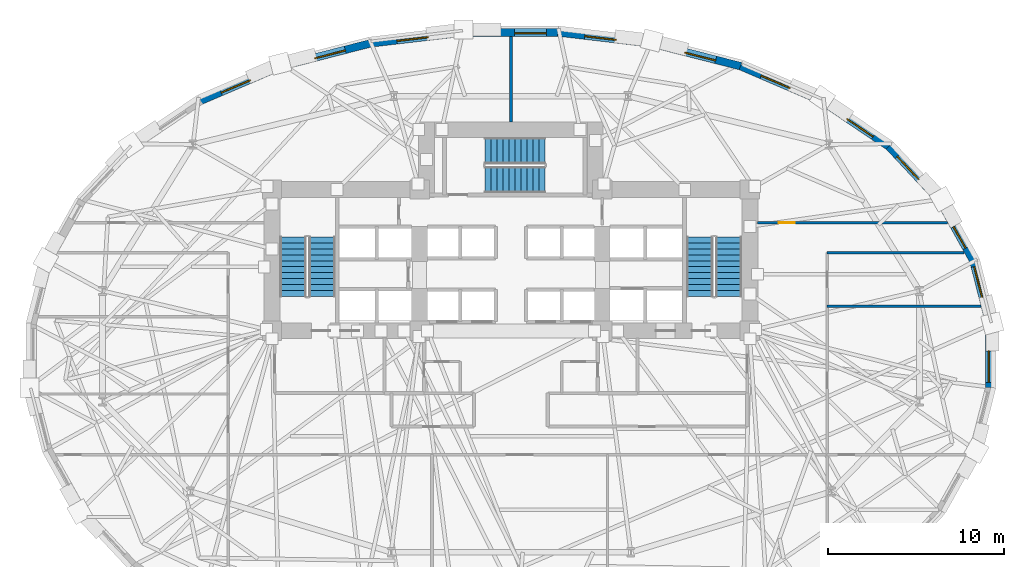
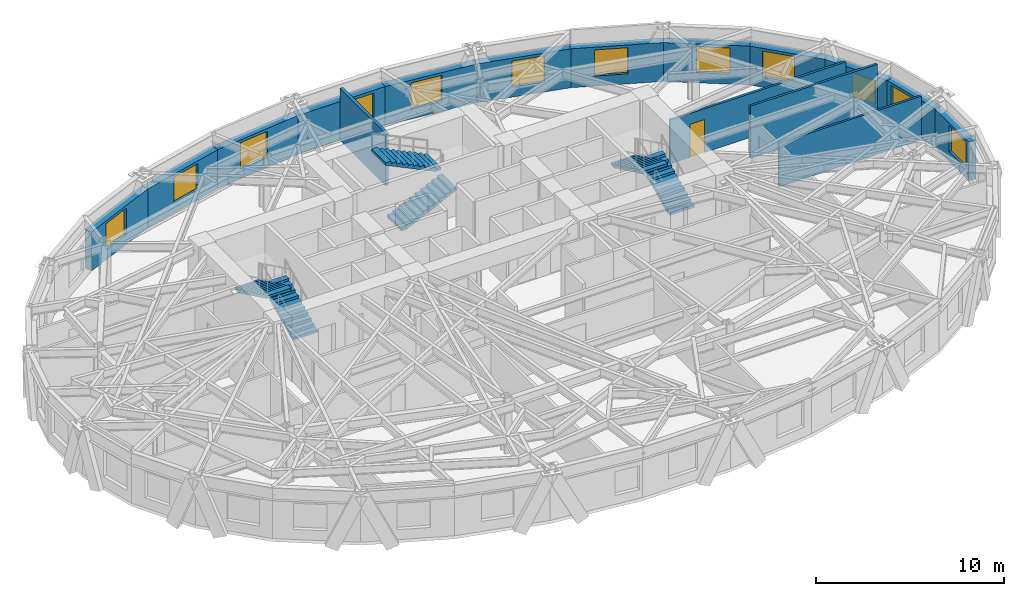
# One storey, part 9 of 13: 16 walls, 12 windows, 6 stair flights, 1 door, 13 openings, 3 elements without a shape of their own.
"""IFC4 building model written with IfcOpenShell, lengths in metres."""

from ifc_helpers import new_model, si_unit, direction, frame, frame_2d, origin, place, context, subcontext, project, spatial, polyline, rectangle, outline, extrude, material, layer, layer_set, type_object, element, fill, aggregate, save


model = new_model("IFC4")

# Units and contexts
model_context = context("Model", 3, precision=1e-05, world=origin(), true_north=direction((0.0, 1.0)))
body_context = subcontext(model_context, "Body", "Model", "MODEL_VIEW")
ifc_project = project(units=[si_unit("LENGTHUNIT", "METRE"), si_unit("AREAUNIT", "SQUARE_METRE"), si_unit("VOLUMEUNIT", "CUBIC_METRE"), si_unit("PLANEANGLEUNIT", "RADIAN"), si_unit("MASSUNIT", "GRAM", prefix="KILO")], contexts=[model_context])

# Site, building, storey
site_placement = place(None, origin())
site = spatial("IfcSite", under=ifc_project, at=site_placement, CompositionType="ELEMENT")
building_placement = place(site_placement, origin())
building = spatial("IfcBuilding", under=site, at=building_placement, Name="Keldmark Tower", CompositionType="ELEMENT")
storey_placement = place(building_placement, frame((0.0, 0.0, 45.0)))
storey = spatial("IfcBuildingStorey", under=building, at=storey_placement, Name="L11", CompositionType="ELEMENT", Elevation=45.0)

# Wall, opening, door
ifc_material_1 = material(Name="Acoustic Double-Layer Gypsum Corridor Partition", Category="gypsum")
ifc_layer_1 = layer(ifc_material_1, 0.139892578125)
ifc_layer_set_1 = layer_set([ifc_layer_1], Name="Acoustic Double-Layer Gypsum Corridor Partition")
wall_type_1 = type_object("IfcWallType", Name="Acoustic Corridor Partition 140 mm", PredefinedType="PARTITIONING", material=ifc_layer_set_1)
wall_1_placement = place(storey_placement, frame((14.050048828125, 7.550048828125, 0.0), z_axis=(0.0, 0.0, 1.0), x_axis=(1.0, 0.0, 0.0)))
wall_1 = element("IfcWall", 1, at=wall_1_placement, inside=storey, type_object=wall_type_1, Name="L11 Acoustic Corridor Partition 140 mm COR-EN-CAP", PredefinedType="PARTITIONING", context=body_context, shape_type="SweptSolid", body=[
    extrude(rectangle(XDim=10.805908203125, YDim=0.139892578125, at=frame_2d((5.40283203125, 0.0))), origin(), (0.0, 0.0, 1.0), 2.85302734375),
])
opening_1_placement = place(wall_1_placement, frame((1.199951171875, 0.0, 0.0)))
opening_1 = element("IfcOpeningElement", 2, at=opening_1_placement, cuts=wall_1, Name="Opening D-EX092", PredefinedType="OPENING", context=body_context, shape_type="SweptSolid", body=[
    extrude(rectangle(XDim=0.919921875, YDim=2.14990234375, at=frame_2d((0.4599609375, 1.074951171875))), frame((0.0, 0.079833984375, 0.0), z_axis=(0.0, -1.0, 0.0), x_axis=(1.0, 0.0, 0.0)), (0.0, 0.0, 1.0), 0.159912109375),
])
ifc_material_2 = material(Name="Flush American Ash Executive Office Door", Category="wood")
door_type = type_object("IfcDoorType", Name="Executive Office Door 920x2150", OperationType="NOTDEFINED", PredefinedType="DOOR", material=ifc_material_2)
door_placement = place(opening_1_placement, origin())
door = element("IfcDoor", 3, at=door_placement, inside=storey, type_object=door_type, Name="L11 Executive Office Door 920x2150 D-NRNE-L11", OperationType="SINGLE_SWING_RIGHT", OverallHeight=2.14990234375, OverallWidth=0.919921875, PredefinedType="DOOR", context=body_context, shape_type="SweptSolid", body=[
    extrude(rectangle(XDim=0.919921875, YDim=2.14990234375, at=frame_2d((0.4599609375, 1.074951171875))), frame((0.0, 0.02490234375, 0.0), z_axis=(0.0, -1.0, 0.0), x_axis=(1.0, 0.0, 0.0)), (0.0, 0.0, 1.0), 0.050048828125),
])
fill(opening_1, door)

# Walls
wall_2_placement = place(storey_placement, frame((18.0, 5.85009765625, 0.0), z_axis=(0.0, 0.0, 1.0), x_axis=(1.0, 0.0, 0.0)))
element("IfcWall", 4, at=wall_2_placement, inside=storey, type_object=wall_type_1, Name="L11 Acoustic Corridor Partition 140 mm COR-EA-S", PredefinedType="PARTITIONING", context=body_context, shape_type="SweptSolid", body=[
    extrude(rectangle(XDim=7.8046875, YDim=0.139892578125, at=frame_2d((3.90234375, 0.0))), origin(), (0.0, 0.0, 1.0), 3.39990234375),
])
ifc_material_3 = material(Name="STC-58 Insulated Tenant Demising Gypsum Partition", Category="gypsum")
ifc_layer_2 = layer(ifc_material_3, 0.175048828125)
ifc_layer_set_2 = layer_set([ifc_layer_2], Name="STC-58 Insulated Tenant Demising Gypsum Partition")
wall_type_2 = type_object("IfcWallType", Name="Demising Suite Partition 175 mm", PredefinedType="PARTITIONING", material=ifc_layer_set_2)
wall_3_placement = place(storey_placement, frame((0.0, 13.300048828125, 0.0), z_axis=(0.0, 0.0, 1.0), x_axis=(0.0, 1.0, 0.0)))
element("IfcWall", 5, at=wall_3_placement, inside=storey, type_object=wall_type_2, Name="L11 Demising Suite Partition 175 mm N-MID-DIV", PredefinedType="PARTITIONING", context=body_context, shape_type="SweptSolid", body=[
    extrude(rectangle(XDim=4.863037109375, YDim=0.175048828125, at=frame_2d((2.431640625, 0.0))), origin(), (0.0, 0.0, 1.0), 3.39990234375),
])
ifc_material_4 = material(Name="Acoustic Gypsum Board Interior Partition", Category="gypsum")
ifc_layer_3 = layer(ifc_material_4, 0.1298828125)
ifc_layer_set_3 = layer_set([ifc_layer_3], Name="Acoustic Gypsum Board Interior Partition")
wall_type_3 = type_object("IfcWallType", Name="Interior Partition 130 mm", PredefinedType="PARTITIONING", material=ifc_layer_set_3)
wall_4_placement = place(storey_placement, frame((18.0, 2.800048828125, 0.0), z_axis=(0.0, 0.0, 1.0), x_axis=(1.0, 0.0, 0.0)))
element("IfcWall", 6, at=wall_4_placement, inside=storey, type_object=wall_type_3, Name="L11 Interior Partition 130 mm E-DIV-1", PredefinedType="PARTITIONING", context=body_context, shape_type="SweptSolid", body=[
    extrude(rectangle(XDim=8.755859375, YDim=0.1298828125, at=frame_2d((4.3779296875, 0.0))), origin(), (0.0, 0.0, 1.0), 2.841064453125),
])

# Wall, opening, window
ifc_material_5 = material(Name="Ironspot Manganese Brick and Kasota Buff Limestone Spandrel Assembly", Category="masonry")
ifc_layer_4 = layer(ifc_material_5, 0.43994140625)
ifc_layer_set_4 = layer_set([ifc_layer_4], Name="Ironspot Manganese Brick and Kasota Buff Limestone Spandrel Assembly")
wall_type_4 = type_object("IfcWallType", Name="Tower Brick Pier and Spandrel Wall 440 mm", PredefinedType="STANDARD", material=ifc_layer_set_4)
wall_5_placement = place(storey_placement, frame((26.3251953125, 5.400390625, 0.0), z_axis=(0.0, 0.0, 1.0), x_axis=(0.248062710061, -0.968743976434, 0.0)))
wall_5 = element("IfcWall", 7, at=wall_5_placement, inside=storey, type_object=wall_type_4, Name="L11 Exterior Brick and Spandrel Wall 01", PredefinedType="STANDARD", context=body_context, shape_type="SweptSolid", body=[
    extrude(rectangle(XDim=3.739013671875, YDim=0.43994140625, at=frame_2d((1.86962890625, 0.0))), origin(), (0.0, 0.0, 1.0), 2.529052734375),
])
opening_2_placement = place(wall_5_placement, frame((0.348876953125, 0.0, 0.64990234375)))
opening_2 = element("IfcOpeningElement", 8, at=opening_2_placement, cuts=wall_5, Name="Opening W-02", PredefinedType="OPENING", context=body_context, shape_type="SweptSolid", body=[
    extrude(rectangle(XDim=1.800048828125, YDim=1.699951171875, at=frame_2d((0.89990234375, 0.85009765625))), frame((0.0, 0.22998046875, 0.0), z_axis=(0.0, -1.0, 0.0), x_axis=(1.0, 0.0, 0.0)), (0.0, 0.0, 1.0), 0.4599609375),
])
ifc_material_6 = material(Name="Thermally Broken Anodized Aluminum and Triple Low-E Argon Glazing", Category="aluminium")
window_type_1 = type_object("IfcWindowType", Name="Office Deep-Set Triple Window 1800x1700", PartitioningType="TRIPLE_PANEL_VERTICAL", PredefinedType="WINDOW", material=ifc_material_6)
window_1_placement = place(opening_2_placement, origin())
window_1 = element("IfcWindow", 9, at=window_1_placement, inside=storey, type_object=window_type_1, Name="L11 Deep-Set Window 01", OverallHeight=1.699951171875, OverallWidth=1.800048828125, PartitioningType="SINGLE_PANEL", PredefinedType="WINDOW", context=body_context, shape_type="SweptSolid", body=[
    extrude(rectangle(XDim=1.800048828125, YDim=1.699951171875, at=frame_2d((0.89990234375, 0.85009765625))), frame((0.0, -0.010009765625, 0.0), z_axis=(0.0, -1.0, 0.0), x_axis=(1.0, 0.0, 0.0)), (0.0, 0.0, 1.0), 0.06005859375),
])
fill(opening_2, window_1)

wall_6_placement = place(storey_placement, frame((24.416259765625, 8.8056640625, 0.0), z_axis=(0.0, 0.0, 1.0), x_axis=(0.487369438963, -0.873195871477, 0.0)))
wall_6 = element("IfcWall", 10, at=wall_6_placement, inside=storey, type_object=wall_type_4, Name="L11 Exterior Brick and Spandrel Wall 02", PredefinedType="STANDARD", context=body_context, shape_type="SweptSolid", body=[
    extrude(rectangle(XDim=3.9599609375, YDim=0.43994140625, at=frame_2d((1.97998046875, 0.0))), origin(), (0.0, 0.0, 1.0), 2.529052734375),
])
opening_3_placement = place(wall_6_placement, frame((1.672607421875, 0.0, 0.580078125)))
opening_3 = element("IfcOpeningElement", 11, at=opening_3_placement, cuts=wall_6, Name="Opening W-08", PredefinedType="OPENING", context=body_context, shape_type="SweptSolid", body=[
    extrude(rectangle(XDim=1.39990234375, YDim=1.550048828125, at=frame_2d((0.699951171875, 0.77490234375))), frame((0.0, 0.22998046875, 0.0), z_axis=(0.0, -1.0, 0.0), x_axis=(1.0, 0.0, 0.0)), (0.0, 0.0, 1.0), 0.4599609375),
])
ifc_material_7 = material(Name="Thermally Broken Anodized Aluminum and Triple Low-E Argon Glazing", Category="aluminium")
window_type_2 = type_object("IfcWindowType", Name="Residential Corner Punched Window 1400x1550", PartitioningType="SINGLE_PANEL", PredefinedType="WINDOW", material=ifc_material_7)
window_2_placement = place(opening_3_placement, origin())
window_2 = element("IfcWindow", 12, at=window_2_placement, inside=storey, type_object=window_type_2, Name="L11 Deep-Set Window 02", OverallHeight=1.550048828125, OverallWidth=1.39990234375, PartitioningType="SINGLE_PANEL", PredefinedType="WINDOW", context=body_context, shape_type="SweptSolid", body=[
    extrude(rectangle(XDim=1.39990234375, YDim=1.550048828125, at=frame_2d((0.699951171875, 0.77490234375))), frame((0.0, -0.010009765625, 0.0), z_axis=(0.0, -1.0, 0.0), x_axis=(1.0, 0.0, 0.0)), (0.0, 0.0, 1.0), 0.06005859375),
])
fill(opening_3, window_2)

wall_7_placement = place(storey_placement, frame((21.51220703125, 11.902099609375, 0.0), z_axis=(0.0, 0.0, 1.0), x_axis=(0.68299392258, -0.730424056093, 0.0)))
wall_7 = element("IfcWall", 13, at=wall_7_placement, inside=storey, type_object=wall_type_4, Name="L11 Exterior Brick and Spandrel Wall 03", PredefinedType="STANDARD", context=body_context, shape_type="SweptSolid", body=[
    extrude(rectangle(XDim=4.298095703125, YDim=0.43994140625, at=frame_2d((2.14892578125, 0.0))), origin(), (0.0, 0.0, 1.0), 2.529052734375),
])
opening_4_placement = place(wall_7_placement, frame((0.74951171875, 0.0, 0.64990234375)))
opening_4 = element("IfcOpeningElement", 14, at=opening_4_placement, cuts=wall_7, Name="Opening W-02", PredefinedType="OPENING", context=body_context, shape_type="SweptSolid", body=[
    extrude(rectangle(XDim=1.800048828125, YDim=1.699951171875, at=frame_2d((0.89990234375, 0.85009765625))), frame((0.0, 0.22998046875, 0.0), z_axis=(0.0, -1.0, 0.0), x_axis=(1.0, 0.0, 0.0)), (0.0, 0.0, 1.0), 0.4599609375),
])
window_3_placement = place(opening_4_placement, origin())
window_3 = element("IfcWindow", 15, at=window_3_placement, inside=storey, type_object=window_type_1, Name="L11 Deep-Set Window 03", OverallHeight=1.699951171875, OverallWidth=1.800048828125, PartitioningType="SINGLE_PANEL", PredefinedType="WINDOW", context=body_context, shape_type="SweptSolid", body=[
    extrude(rectangle(XDim=1.800048828125, YDim=1.699951171875, at=frame_2d((0.89990234375, 0.85009765625))), frame((0.0, -0.010009765625, 0.0), z_axis=(0.0, -1.0, 0.0), x_axis=(1.0, 0.0, 0.0)), (0.0, 0.0, 1.0), 0.06005859375),
])
fill(opening_4, window_3)

wall_8_placement = place(storey_placement, frame((17.6630859375, 14.503662109375, 0.0), z_axis=(0.0, 0.0, 1.0), x_axis=(0.827825981515, -0.560984976919, 0.0)))
wall_8 = element("IfcWall", 16, at=wall_8_placement, inside=storey, type_object=wall_type_4, Name="L11 Exterior Brick and Spandrel Wall 04", PredefinedType="STANDARD", context=body_context, shape_type="SweptSolid", body=[
    extrude(rectangle(XDim=4.694580078125, YDim=0.43994140625, at=frame_2d((2.34716796875, 0.0))), origin(), (0.0, 0.0, 1.0), 2.529052734375),
])
opening_5_placement = place(wall_8_placement, frame((1.79638671875, 0.0, 0.64990234375)))
opening_5 = element("IfcOpeningElement", 17, at=opening_5_placement, cuts=wall_8, Name="Opening W-02", PredefinedType="OPENING", context=body_context, shape_type="SweptSolid", body=[
    extrude(rectangle(XDim=1.800048828125, YDim=1.699951171875, at=frame_2d((0.89990234375, 0.85009765625))), frame((0.0, 0.22998046875, 0.0), z_axis=(0.0, -1.0, 0.0), x_axis=(1.0, 0.0, 0.0)), (0.0, 0.0, 1.0), 0.4599609375),
])
window_4_placement = place(opening_5_placement, origin())
window_4 = element("IfcWindow", 18, at=window_4_placement, inside=storey, type_object=window_type_1, Name="L11 Deep-Set Window 04", OverallHeight=1.699951171875, OverallWidth=1.800048828125, PartitioningType="SINGLE_PANEL", PredefinedType="WINDOW", context=body_context, shape_type="SweptSolid", body=[
    extrude(rectangle(XDim=1.800048828125, YDim=1.699951171875, at=frame_2d((0.89990234375, 0.85009765625))), frame((0.0, -0.010009765625, 0.0), z_axis=(0.0, -1.0, 0.0), x_axis=(1.0, 0.0, 0.0)), (0.0, 0.0, 1.0), 0.06005859375),
])
fill(opening_5, window_4)

wall_9_placement = place(storey_placement, frame((13.066650390625, 16.47265625, 0.0), z_axis=(0.0, 0.0, 1.0), x_axis=(0.918881850071, -0.394532819433, 0.0)))
wall_9 = element("IfcWall", 19, at=wall_9_placement, inside=storey, type_object=wall_type_4, Name="L11 Exterior Brick and Spandrel Wall 05", PredefinedType="STANDARD", context=body_context, shape_type="SweptSolid", body=[
    extrude(rectangle(XDim=5.0419921875, YDim=0.43994140625, at=frame_2d((2.52099609375, 0.0))), origin(), (0.0, 0.0, 1.0), 2.529052734375),
])
opening_6_placement = place(wall_9_placement, frame((1.296875, 0.0, 0.64990234375)))
opening_6 = element("IfcOpeningElement", 20, at=opening_6_placement, cuts=wall_9, Name="Opening W-02", PredefinedType="OPENING", context=body_context, shape_type="SweptSolid", body=[
    extrude(rectangle(XDim=1.800048828125, YDim=1.699951171875, at=frame_2d((0.89990234375, 0.85009765625))), frame((0.0, 0.22998046875, 0.0), z_axis=(0.0, -1.0, 0.0), x_axis=(1.0, 0.0, 0.0)), (0.0, 0.0, 1.0), 0.4599609375),
])
window_5_placement = place(opening_6_placement, origin())
window_5 = element("IfcWindow", 21, at=window_5_placement, inside=storey, type_object=window_type_1, Name="L11 Deep-Set Window 05", OverallHeight=1.699951171875, OverallWidth=1.800048828125, PartitioningType="SINGLE_PANEL", PredefinedType="WINDOW", context=body_context, shape_type="SweptSolid", body=[
    extrude(rectangle(XDim=1.800048828125, YDim=1.699951171875, at=frame_2d((0.89990234375, 0.85009765625))), frame((0.0, -0.010009765625, 0.0), z_axis=(0.0, -1.0, 0.0), x_axis=(1.0, 0.0, 0.0)), (0.0, 0.0, 1.0), 0.06005859375),
])
fill(opening_6, window_5)

wall_10_placement = place(storey_placement, frame((7.99560546875, 17.76953125, 0.0), z_axis=(0.0, 0.0, 1.0), x_axis=(0.968705592422, -0.248212560542, 0.0)))
wall_10 = element("IfcWall", 22, at=wall_10_placement, inside=storey, type_object=wall_type_4, Name="L11 Exterior Brick and Spandrel Wall 06", PredefinedType="STANDARD", context=body_context, shape_type="SweptSolid", body=[
    extrude(rectangle(XDim=5.26806640625, YDim=0.43994140625, at=frame_2d((2.634033203125, 0.0))), origin(), (0.0, 0.0, 1.0), 2.529052734375),
])
opening_7_placement = place(wall_10_placement, frame((1.9814453125, 0.0, 0.64990234375)))
opening_7 = element("IfcOpeningElement", 23, at=opening_7_placement, cuts=wall_10, Name="Opening W-02", PredefinedType="OPENING", context=body_context, shape_type="SweptSolid", body=[
    extrude(rectangle(XDim=1.800048828125, YDim=1.699951171875, at=frame_2d((0.89990234375, 0.85009765625))), frame((0.0, 0.22998046875, 0.0), z_axis=(0.0, -1.0, 0.0), x_axis=(1.0, 0.0, 0.0)), (0.0, 0.0, 1.0), 0.4599609375),
])
window_6_placement = place(opening_7_placement, origin())
window_6 = element("IfcWindow", 24, at=window_6_placement, inside=storey, type_object=window_type_1, Name="L11 Deep-Set Window 06", OverallHeight=1.699951171875, OverallWidth=1.800048828125, PartitioningType="SINGLE_PANEL", PredefinedType="WINDOW", context=body_context, shape_type="SweptSolid", body=[
    extrude(rectangle(XDim=1.800048828125, YDim=1.699951171875, at=frame_2d((0.89990234375, 0.85009765625))), frame((0.0, -0.010009765625, 0.0), z_axis=(0.0, -1.0, 0.0), x_axis=(1.0, 0.0, 0.0)), (0.0, 0.0, 1.0), 0.06005859375),
])
fill(opening_7, window_6)

wall_11_placement = place(storey_placement, frame((2.679443359375, 18.392578125, 0.0), z_axis=(0.0, 0.0, 1.0), x_axis=(0.993159890371, -0.116762289112, 0.0)))
wall_11 = element("IfcWall", 25, at=wall_11_placement, inside=storey, type_object=wall_type_4, Name="L11 Exterior Brick and Spandrel Wall 07", PredefinedType="STANDARD", context=body_context, shape_type="SweptSolid", body=[
    extrude(rectangle(XDim=5.382080078125, YDim=0.43994140625, at=frame_2d((2.69091796875, 0.0))), origin(), (0.0, 0.0, 1.0), 2.529052734375),
])
opening_8_placement = place(wall_11_placement, frame((1.54248046875, 0.0, 0.64990234375)))
opening_8 = element("IfcOpeningElement", 26, at=opening_8_placement, cuts=wall_11, Name="Opening W-02", PredefinedType="OPENING", context=body_context, shape_type="SweptSolid", body=[
    extrude(rectangle(XDim=1.800048828125, YDim=1.699951171875, at=frame_2d((0.89990234375, 0.85009765625))), frame((0.0, 0.22998046875, 0.0), z_axis=(0.0, -1.0, 0.0), x_axis=(1.0, 0.0, 0.0)), (0.0, 0.0, 1.0), 0.4599609375),
])
window_7_placement = place(opening_8_placement, origin())
window_7 = element("IfcWindow", 27, at=window_7_placement, inside=storey, type_object=window_type_1, Name="L11 Deep-Set Window 07", OverallHeight=1.699951171875, OverallWidth=1.800048828125, PartitioningType="SINGLE_PANEL", PredefinedType="WINDOW", context=body_context, shape_type="SweptSolid", body=[
    extrude(rectangle(XDim=1.800048828125, YDim=1.699951171875, at=frame_2d((0.89990234375, 0.85009765625))), frame((0.0, -0.010009765625, 0.0), z_axis=(0.0, -1.0, 0.0), x_axis=(1.0, 0.0, 0.0)), (0.0, 0.0, 1.0), 0.06005859375),
])
fill(opening_8, window_7)

wall_12_placement = place(storey_placement, frame((-2.705078125, 18.39111328125, 0.0), z_axis=(0.0, 0.0, 1.0), x_axis=(1.0, 0.0, 0.0)))
wall_12 = element("IfcWall", 28, at=wall_12_placement, inside=storey, type_object=wall_type_4, Name="L11 Exterior Brick and Spandrel Wall 08", PredefinedType="STANDARD", context=body_context, shape_type="SweptSolid", body=[
    extrude(rectangle(XDim=5.41015625, YDim=0.43994140625, at=frame_2d((2.705078125, 0.0))), origin(), (0.0, 0.0, 1.0), 2.529052734375),
])
opening_9_placement = place(wall_12_placement, frame((2.91650390625, 0.0, 0.64990234375)))
opening_9 = element("IfcOpeningElement", 29, at=opening_9_placement, cuts=wall_12, Name="Opening W-02", PredefinedType="OPENING", context=body_context, shape_type="SweptSolid", body=[
    extrude(rectangle(XDim=1.800048828125, YDim=1.699951171875, at=frame_2d((0.89990234375, 0.85009765625))), frame((0.0, 0.22998046875, 0.0), z_axis=(0.0, -1.0, 0.0), x_axis=(1.0, 0.0, 0.0)), (0.0, 0.0, 1.0), 0.4599609375),
])
window_8_placement = place(opening_9_placement, origin())
window_8 = element("IfcWindow", 30, at=window_8_placement, inside=storey, type_object=window_type_1, Name="L11 Deep-Set Window 08", OverallHeight=1.699951171875, OverallWidth=1.800048828125, PartitioningType="SINGLE_PANEL", PredefinedType="WINDOW", context=body_context, shape_type="SweptSolid", body=[
    extrude(rectangle(XDim=1.800048828125, YDim=1.699951171875, at=frame_2d((0.89990234375, 0.85009765625))), frame((0.0, -0.010009765625, 0.0), z_axis=(0.0, -1.0, 0.0), x_axis=(1.0, 0.0, 0.0)), (0.0, 0.0, 1.0), 0.06005859375),
])
fill(opening_9, window_8)

wall_13_placement = place(storey_placement, frame((-8.024658203125, 17.76416015625, 0.0), z_axis=(0.0, 0.0, 1.0), x_axis=(0.993159890371, 0.116762289112, 0.0)))
wall_13 = element("IfcWall", 31, at=wall_13_placement, inside=storey, type_object=wall_type_4, Name="L11 Exterior Brick and Spandrel Wall 09", PredefinedType="STANDARD", context=body_context, shape_type="SweptSolid", body=[
    extrude(rectangle(XDim=5.382080078125, YDim=0.43994140625, at=frame_2d((2.69091796875, 0.0))), origin(), (0.0, 0.0, 1.0), 2.529052734375),
])
opening_10_placement = place(wall_13_placement, frame((1.54248046875, 0.0, 0.64990234375)))
opening_10 = element("IfcOpeningElement", 32, at=opening_10_placement, cuts=wall_13, Name="Opening W-02", PredefinedType="OPENING", context=body_context, shape_type="SweptSolid", body=[
    extrude(rectangle(XDim=1.800048828125, YDim=1.699951171875, at=frame_2d((0.89990234375, 0.85009765625))), frame((0.0, 0.22998046875, 0.0), z_axis=(0.0, -1.0, 0.0), x_axis=(1.0, 0.0, 0.0)), (0.0, 0.0, 1.0), 0.4599609375),
])
window_9_placement = place(opening_10_placement, origin())
window_9 = element("IfcWindow", 33, at=window_9_placement, inside=storey, type_object=window_type_1, Name="L11 Deep-Set Window 09", OverallHeight=1.699951171875, OverallWidth=1.800048828125, PartitioningType="SINGLE_PANEL", PredefinedType="WINDOW", context=body_context, shape_type="SweptSolid", body=[
    extrude(rectangle(XDim=1.800048828125, YDim=1.699951171875, at=frame_2d((0.89990234375, 0.85009765625))), frame((0.0, -0.010009765625, 0.0), z_axis=(0.0, -1.0, 0.0), x_axis=(1.0, 0.0, 0.0)), (0.0, 0.0, 1.0), 0.06005859375),
])
fill(opening_10, window_9)

wall_14_placement = place(storey_placement, frame((-13.098876953125, 16.4619140625, 0.0), z_axis=(0.0, 0.0, 1.0), x_axis=(0.968705592422, 0.248212560542, 0.0)))
wall_14 = element("IfcWall", 34, at=wall_14_placement, inside=storey, type_object=wall_type_4, Name="L11 Exterior Brick and Spandrel Wall 10", PredefinedType="STANDARD", context=body_context, shape_type="SweptSolid", body=[
    extrude(rectangle(XDim=5.26806640625, YDim=0.43994140625, at=frame_2d((2.634033203125, 0.0))), origin(), (0.0, 0.0, 1.0), 2.529052734375),
])
opening_11_placement = place(wall_14_placement, frame((1.9814453125, 0.0, 0.64990234375)))
opening_11 = element("IfcOpeningElement", 35, at=opening_11_placement, cuts=wall_14, Name="Opening W-02", PredefinedType="OPENING", context=body_context, shape_type="SweptSolid", body=[
    extrude(rectangle(XDim=1.800048828125, YDim=1.699951171875, at=frame_2d((0.89990234375, 0.85009765625))), frame((0.0, 0.22998046875, 0.0), z_axis=(0.0, -1.0, 0.0), x_axis=(1.0, 0.0, 0.0)), (0.0, 0.0, 1.0), 0.4599609375),
])
window_10_placement = place(opening_11_placement, origin())
window_10 = element("IfcWindow", 36, at=window_10_placement, inside=storey, type_object=window_type_1, Name="L11 Deep-Set Window 10", OverallHeight=1.699951171875, OverallWidth=1.800048828125, PartitioningType="SINGLE_PANEL", PredefinedType="WINDOW", context=body_context, shape_type="SweptSolid", body=[
    extrude(rectangle(XDim=1.800048828125, YDim=1.699951171875, at=frame_2d((0.89990234375, 0.85009765625))), frame((0.0, -0.010009765625, 0.0), z_axis=(0.0, -1.0, 0.0), x_axis=(1.0, 0.0, 0.0)), (0.0, 0.0, 1.0), 0.06005859375),
])
fill(opening_11, window_10)

wall_15_placement = place(storey_placement, frame((-17.69970703125, 14.4833984375, 0.0), z_axis=(0.0, 0.0, 1.0), x_axis=(0.918881850071, 0.394532819433, 0.0)))
wall_15 = element("IfcWall", 37, at=wall_15_placement, inside=storey, type_object=wall_type_4, Name="L11 Exterior Brick and Spandrel Wall 11", PredefinedType="STANDARD", context=body_context, shape_type="SweptSolid", body=[
    extrude(rectangle(XDim=5.0419921875, YDim=0.43994140625, at=frame_2d((2.52099609375, 0.0))), origin(), (0.0, 0.0, 1.0), 2.529052734375),
])
opening_12_placement = place(wall_15_placement, frame((1.296875, 0.0, 0.64990234375)))
opening_12 = element("IfcOpeningElement", 38, at=opening_12_placement, cuts=wall_15, Name="Opening W-02", PredefinedType="OPENING", context=body_context, shape_type="SweptSolid", body=[
    extrude(rectangle(XDim=1.800048828125, YDim=1.699951171875, at=frame_2d((0.89990234375, 0.85009765625))), frame((0.0, 0.22998046875, 0.0), z_axis=(0.0, -1.0, 0.0), x_axis=(1.0, 0.0, 0.0)), (0.0, 0.0, 1.0), 0.4599609375),
])
window_11_placement = place(opening_12_placement, origin())
window_11 = element("IfcWindow", 39, at=window_11_placement, inside=storey, type_object=window_type_1, Name="L11 Deep-Set Window 11", OverallHeight=1.699951171875, OverallWidth=1.800048828125, PartitioningType="SINGLE_PANEL", PredefinedType="WINDOW", context=body_context, shape_type="SweptSolid", body=[
    extrude(rectangle(XDim=1.800048828125, YDim=1.699951171875, at=frame_2d((0.89990234375, 0.85009765625))), frame((0.0, -0.010009765625, 0.0), z_axis=(0.0, -1.0, 0.0), x_axis=(1.0, 0.0, 0.0)), (0.0, 0.0, 1.0), 0.06005859375),
])
fill(opening_12, window_11)

wall_16_placement = place(storey_placement, frame((27.245849609375, 1.8330078125, 0.0), z_axis=(0.0, 0.0, 1.0), x_axis=(0.0, -1.0, 0.0)))
wall_16 = element("IfcWall", 40, at=wall_16_placement, inside=storey, type_object=wall_type_4, Name="L11 Exterior Brick and Spandrel Wall 32", PredefinedType="STANDARD", context=body_context, shape_type="SweptSolid", body=[
    extrude(rectangle(XDim=3.666015625, YDim=0.43994140625, at=frame_2d((1.8330078125, 0.0))), origin(), (0.0, 0.0, 1.0), 2.529052734375),
])
opening_13_placement = place(wall_16_placement, frame((1.568359375, 0.0, 0.64990234375)))
opening_13 = element("IfcOpeningElement", 41, at=opening_13_placement, cuts=wall_16, Name="Opening W-02", PredefinedType="OPENING", context=body_context, shape_type="SweptSolid", body=[
    extrude(rectangle(XDim=1.800048828125, YDim=1.699951171875, at=frame_2d((0.89990234375, 0.85009765625))), frame((0.0, 0.22998046875, 0.0), z_axis=(0.0, -1.0, 0.0), x_axis=(1.0, 0.0, 0.0)), (0.0, 0.0, 1.0), 0.4599609375),
])
window_12_placement = place(opening_13_placement, origin())
window_12 = element("IfcWindow", 42, at=window_12_placement, inside=storey, type_object=window_type_1, Name="L11 Deep-Set Window 32", OverallHeight=1.699951171875, OverallWidth=1.800048828125, PartitioningType="SINGLE_PANEL", PredefinedType="WINDOW", context=body_context, shape_type="SweptSolid", body=[
    extrude(rectangle(XDim=1.800048828125, YDim=1.699951171875, at=frame_2d((0.89990234375, 0.85009765625))), frame((0.0, -0.010009765625, 0.0), z_axis=(0.0, -1.0, 0.0), x_axis=(1.0, 0.0, 0.0)), (0.0, 0.0, 1.0), 0.06005859375),
])
fill(opening_13, window_12)

# Stair, stair flights
ifc_material_8 = material(Name="Concrete C40/50", Category="concrete")
stair_type = type_object("IfcStairType", Name="Precast Concrete Core Exit Stair", PredefinedType="HALF_TURN_STAIR", material=ifc_material_8)
stair_1_placement = place(storey_placement, origin())
stair_1 = element("IfcStair", 43, at=stair_1_placement, inside=storey, type_object=stair_type, Name="L11 Exit Stair ST1", PredefinedType="HALF_TURN_STAIR")
ifc_material_9 = material(Name="Concrete C40/50", Category="concrete")
stair_flight_type = type_object("IfcStairFlightType", Name="Precast Concrete Stair Flight 1500 mm", PredefinedType="STRAIGHT", material=ifc_material_9)
stair_flight_1_placement = place(storey_placement, frame((-10.75, 3.35009765625, 0.0), z_axis=(0.0, 0.0, 1.0), x_axis=(0.0, 1.0, 0.0)))
stair_flight_1 = element("IfcStairFlight", 44, at=stair_flight_1_placement, type_object=stair_flight_type, Name="ST1 flight 1", NumberOfRisers=11, NumberOfTreads=10, PredefinedType="STRAIGHT", RiserHeight=0.163636364, TreadLength=0.34, context=body_context, shape_type="SweptSolid", body=[
    extrude(outline(polyline([(0.0, 0.0), (0.0, 0.16357421875), (0.340087890625, 0.16357421875), (0.340087890625, 0.327392578125), (0.679931640625, 0.327392578125), (0.679931640625, 0.490966796875), (1.02001953125, 0.490966796875), (1.02001953125, 0.654541015625), (1.360107421875, 0.654541015625), (1.360107421875, 0.818115234375), (1.699951171875, 0.818115234375), (1.699951171875, 0.98193359375), (2.0400390625, 0.98193359375), (2.0400390625, 1.1455078125), (2.3798828125, 1.1455078125), (2.3798828125, 1.30908203125), (2.719970703125, 1.30908203125), (2.719970703125, 1.47265625), (3.06005859375, 1.47265625), (3.06005859375, 1.636474609375), (3.39990234375, 1.636474609375), (3.39990234375, 1.800048828125), (3.39990234375, 1.469970703125), (0.345703125, 0.0), (0.0, 0.0)])), frame((0.0, 0.75, 0.0), z_axis=(0.0, -1.0, 0.0), x_axis=(1.0, 0.0, 0.0)), (0.0, 0.0, 1.0), 1.5),
])
stair_flight_2_placement = place(storey_placement, frame((-12.39990234375, 6.75, 1.800048828125), z_axis=(0.0, 0.0, 1.0), x_axis=(0.0, -1.0, 0.0)))
stair_flight_2 = element("IfcStairFlight", 45, at=stair_flight_2_placement, type_object=stair_flight_type, Name="ST1 flight 2", NumberOfRisers=11, NumberOfTreads=10, PredefinedType="STRAIGHT", RiserHeight=0.163636364, TreadLength=0.34, context=body_context, shape_type="SweptSolid", body=[
    extrude(outline(polyline([(0.0, 0.0), (0.0, 0.16357421875), (0.340087890625, 0.16357421875), (0.340087890625, 0.327392578125), (0.679931640625, 0.327392578125), (0.679931640625, 0.490966796875), (1.02001953125, 0.490966796875), (1.02001953125, 0.654541015625), (1.360107421875, 0.654541015625), (1.360107421875, 0.818115234375), (1.699951171875, 0.818115234375), (1.699951171875, 0.98193359375), (2.0400390625, 0.98193359375), (2.0400390625, 1.1455078125), (2.3798828125, 1.1455078125), (2.3798828125, 1.30908203125), (2.719970703125, 1.30908203125), (2.719970703125, 1.47265625), (3.06005859375, 1.47265625), (3.06005859375, 1.636474609375), (3.39990234375, 1.636474609375), (3.39990234375, 1.800048828125), (3.39990234375, 1.469970703125), (0.345703125, 0.0), (0.0, 0.0)])), frame((0.0, 0.75, 0.0), z_axis=(0.0, -1.0, 0.0), x_axis=(1.0, 0.0, 0.0)), (0.0, 0.0, 1.0), 1.5),
])
aggregate(stair_1, [stair_flight_1, stair_flight_2])

stair_2_placement = place(storey_placement, origin())
stair_2 = element("IfcStair", 46, at=stair_2_placement, inside=storey, type_object=stair_type, Name="L11 Exit Stair ST2", PredefinedType="HALF_TURN_STAIR")
stair_flight_3_placement = place(storey_placement, frame((12.39990234375, 3.35009765625, 0.0), z_axis=(0.0, 0.0, 1.0), x_axis=(0.0, 1.0, 0.0)))
stair_flight_3 = element("IfcStairFlight", 47, at=stair_flight_3_placement, type_object=stair_flight_type, Name="ST2 flight 1", NumberOfRisers=11, NumberOfTreads=10, PredefinedType="STRAIGHT", RiserHeight=0.163636364, TreadLength=0.34, context=body_context, shape_type="SweptSolid", body=[
    extrude(outline(polyline([(0.0, 0.0), (0.0, 0.16357421875), (0.340087890625, 0.16357421875), (0.340087890625, 0.327392578125), (0.679931640625, 0.327392578125), (0.679931640625, 0.490966796875), (1.02001953125, 0.490966796875), (1.02001953125, 0.654541015625), (1.360107421875, 0.654541015625), (1.360107421875, 0.818115234375), (1.699951171875, 0.818115234375), (1.699951171875, 0.98193359375), (2.0400390625, 0.98193359375), (2.0400390625, 1.1455078125), (2.3798828125, 1.1455078125), (2.3798828125, 1.30908203125), (2.719970703125, 1.30908203125), (2.719970703125, 1.47265625), (3.06005859375, 1.47265625), (3.06005859375, 1.636474609375), (3.39990234375, 1.636474609375), (3.39990234375, 1.800048828125), (3.39990234375, 1.469970703125), (0.345703125, 0.0), (0.0, 0.0)])), frame((0.0, 0.75, 0.0), z_axis=(0.0, -1.0, 0.0), x_axis=(1.0, 0.0, 0.0)), (0.0, 0.0, 1.0), 1.5),
])
stair_flight_4_placement = place(storey_placement, frame((10.75, 6.75, 1.800048828125), z_axis=(0.0, 0.0, 1.0), x_axis=(0.0, -1.0, 0.0)))
stair_flight_4 = element("IfcStairFlight", 48, at=stair_flight_4_placement, type_object=stair_flight_type, Name="ST2 flight 2", NumberOfRisers=11, NumberOfTreads=10, PredefinedType="STRAIGHT", RiserHeight=0.163636364, TreadLength=0.34, context=body_context, shape_type="SweptSolid", body=[
    extrude(outline(polyline([(0.0, 0.0), (0.0, 0.16357421875), (0.340087890625, 0.16357421875), (0.340087890625, 0.327392578125), (0.679931640625, 0.327392578125), (0.679931640625, 0.490966796875), (1.02001953125, 0.490966796875), (1.02001953125, 0.654541015625), (1.360107421875, 0.654541015625), (1.360107421875, 0.818115234375), (1.699951171875, 0.818115234375), (1.699951171875, 0.98193359375), (2.0400390625, 0.98193359375), (2.0400390625, 1.1455078125), (2.3798828125, 1.1455078125), (2.3798828125, 1.30908203125), (2.719970703125, 1.30908203125), (2.719970703125, 1.47265625), (3.06005859375, 1.47265625), (3.06005859375, 1.636474609375), (3.39990234375, 1.636474609375), (3.39990234375, 1.800048828125), (3.39990234375, 1.469970703125), (0.345703125, 0.0), (0.0, 0.0)])), frame((0.0, 0.75, 0.0), z_axis=(0.0, -1.0, 0.0), x_axis=(1.0, 0.0, 0.0)), (0.0, 0.0, 1.0), 1.5),
])
aggregate(stair_2, [stair_flight_3, stair_flight_4])

stair_3_placement = place(storey_placement, origin())
stair_3 = element("IfcStair", 49, at=stair_3_placement, inside=storey, type_object=stair_type, Name="L11 Exit Stair ST3", PredefinedType="HALF_TURN_STAIR")
stair_flight_5_placement = place(storey_placement, frame((-1.47509765625, 10.0, 0.0), z_axis=(0.0, 0.0, 1.0), x_axis=(1.0, 0.0, 0.0)))
stair_flight_5 = element("IfcStairFlight", 50, at=stair_flight_5_placement, type_object=stair_flight_type, Name="ST3 flight 1", NumberOfRisers=11, NumberOfTreads=10, PredefinedType="STRAIGHT", RiserHeight=0.163636364, TreadLength=0.34, context=body_context, shape_type="SweptSolid", body=[
    extrude(outline(polyline([(0.0, 0.0), (0.0, 0.16357421875), (0.340087890625, 0.16357421875), (0.340087890625, 0.327392578125), (0.679931640625, 0.327392578125), (0.679931640625, 0.490966796875), (1.02001953125, 0.490966796875), (1.02001953125, 0.654541015625), (1.360107421875, 0.654541015625), (1.360107421875, 0.818115234375), (1.699951171875, 0.818115234375), (1.699951171875, 0.98193359375), (2.0400390625, 0.98193359375), (2.0400390625, 1.1455078125), (2.3798828125, 1.1455078125), (2.3798828125, 1.30908203125), (2.719970703125, 1.30908203125), (2.719970703125, 1.47265625), (3.06005859375, 1.47265625), (3.06005859375, 1.636474609375), (3.39990234375, 1.636474609375), (3.39990234375, 1.800048828125), (3.39990234375, 1.469970703125), (0.345703125, 0.0), (0.0, 0.0)])), frame((0.0, 0.75, 0.0), z_axis=(0.0, -1.0, 0.0), x_axis=(1.0, 0.0, 0.0)), (0.0, 0.0, 1.0), 1.5),
])
stair_flight_6_placement = place(storey_placement, frame((1.925048828125, 11.64990234375, 1.800048828125), z_axis=(0.0, 0.0, 1.0), x_axis=(-1.0, 0.0, 0.0)))
stair_flight_6 = element("IfcStairFlight", 51, at=stair_flight_6_placement, type_object=stair_flight_type, Name="ST3 flight 2", NumberOfRisers=11, NumberOfTreads=10, PredefinedType="STRAIGHT", RiserHeight=0.163636364, TreadLength=0.34, context=body_context, shape_type="SweptSolid", body=[
    extrude(outline(polyline([(0.0, 0.0), (0.0, 0.16357421875), (0.340087890625, 0.16357421875), (0.340087890625, 0.327392578125), (0.679931640625, 0.327392578125), (0.679931640625, 0.490966796875), (1.02001953125, 0.490966796875), (1.02001953125, 0.654541015625), (1.360107421875, 0.654541015625), (1.360107421875, 0.818115234375), (1.699951171875, 0.818115234375), (1.699951171875, 0.98193359375), (2.0400390625, 0.98193359375), (2.0400390625, 1.1455078125), (2.3798828125, 1.1455078125), (2.3798828125, 1.30908203125), (2.719970703125, 1.30908203125), (2.719970703125, 1.47265625), (3.06005859375, 1.47265625), (3.06005859375, 1.636474609375), (3.39990234375, 1.636474609375), (3.39990234375, 1.800048828125), (3.39990234375, 1.469970703125), (0.345703125, 0.0), (0.0, 0.0)])), frame((0.0, 0.75, 0.0), z_axis=(0.0, -1.0, 0.0), x_axis=(1.0, 0.0, 0.0)), (0.0, 0.0, 1.0), 1.5),
])
aggregate(stair_3, [stair_flight_5, stair_flight_6])

save(model, "model.ifc")
